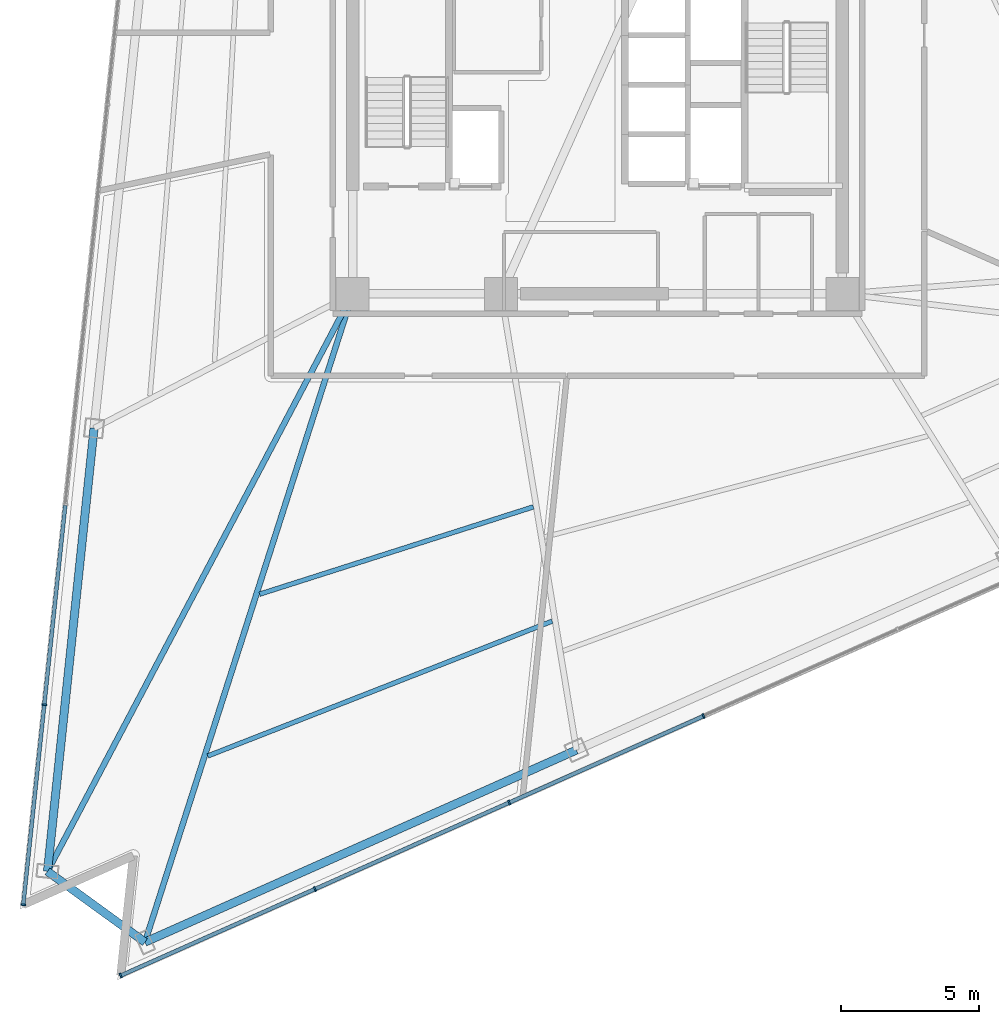
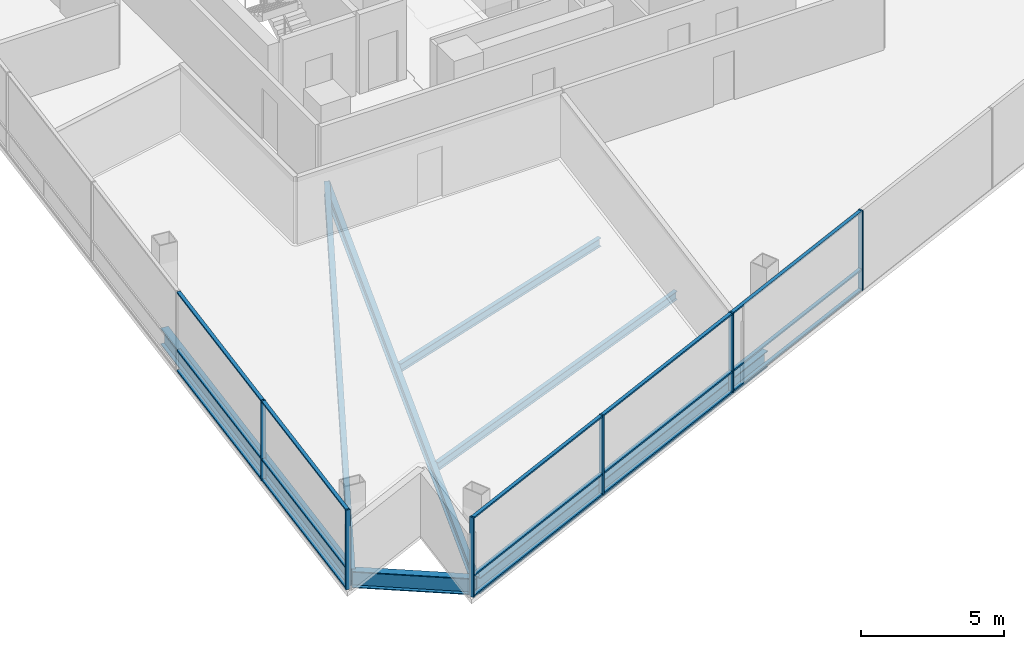
# One storey, part 2 of 16: 21 members, 7 beams, 2 elements without a shape of their own.
"""IFC4 building model written with IfcOpenShell, lengths in metres."""

from ifc_helpers import new_model, si_unit, direction, frame, origin, origin_2d, place, context, subcontext, project, spatial, rectangle, i_section, extrude, material, layer, layer_set, material_profile, profile_set, type_object, element, aggregate, save


model = new_model("IFC4")

# Units and contexts
model_context = context("Model", 3, precision=1e-05, world=origin(), true_north=direction((0.0, 1.0)))
body_context = subcontext(model_context, "Body", "Model", "MODEL_VIEW")
ifc_project = project(units=[si_unit("LENGTHUNIT", "METRE"), si_unit("AREAUNIT", "SQUARE_METRE"), si_unit("VOLUMEUNIT", "CUBIC_METRE"), si_unit("PLANEANGLEUNIT", "RADIAN"), si_unit("MASSUNIT", "GRAM", prefix="KILO")], contexts=[model_context])

# Site, building, storey
site_placement = place(None, origin())
site = spatial("IfcSite", under=ifc_project, at=site_placement, CompositionType="ELEMENT")
building_placement = place(site_placement, origin())
building = spatial("IfcBuilding", under=site, at=building_placement, Name="Tharavind Bronze Gate", CompositionType="ELEMENT")
storey_placement = place(building_placement, frame((0.0, 0.0, 130.449951171875)))
storey = spatial("IfcBuildingStorey", under=building, at=storey_placement, Name="L33", CompositionType="ELEMENT", Elevation=130.449951171875)

# Curtain wall, members
ifc_material_1 = material(Name="Anodised Bronze Aluminium", Category="aluminium")
ifc_layer = layer(ifc_material_1, 0.219970703125)
ifc_layer_set = layer_set([ifc_layer], Name="Anodised Bronze Aluminium")
curtain_wall_type = type_object("IfcCurtainWallType", Name="UNITISED CURTAIN WALL LOWER OFFICE", PredefinedType="USERDEFINED", material=ifc_layer_set)
curtain_wall_1_placement = place(storey_placement, origin())
curtain_wall_1 = element("IfcCurtainWall", 1, at=curtain_wall_1_placement, inside=storey, type_object=curtain_wall_type, Name="L33 unitised curtain wall lower office CW-L33-S1", ObjectType="UNITISED CURTAIN WALL", PredefinedType="USERDEFINED")
member_type_1 = type_object("IfcMemberType", Name="CURTAIN WALL BRONZE MULLION 65X180", PredefinedType="MULLION", material=ifc_material_1)
member_1_placement = place(storey_placement, frame((-20.1142578125, -22.5380859375, 0.0), z_axis=(0.0, 0.0, 1.0), x_axis=(-0.104526727499, -0.994522077803, 0.0)))
member_1 = element("IfcMember", 2, at=member_1_placement, type_object=member_type_1, Name="CW-L33-S1 mullion 7", PredefinedType="MULLION", context=body_context, shape_type="SweptSolid", body=[
    extrude(rectangle(XDim=0.06494140625, YDim=0.179931640625, at=origin_2d()), origin(), (0.0, 0.0, 1.0), 3.409912109375),
])
member_2_placement = place(storey_placement, frame((-20.878662109375, -29.811279296875, 0.0), z_axis=(0.0, 0.0, 1.0), x_axis=(-0.104526727499, -0.994522077803, 0.0)))
member_2 = element("IfcMember", 3, at=member_2_placement, type_object=member_type_1, Name="CW-L33-S1 mullion 8", PredefinedType="MULLION", context=body_context, shape_type="SweptSolid", body=[
    extrude(rectangle(XDim=0.06494140625, YDim=0.179931640625, at=origin_2d()), origin(), (0.0, 0.0, 1.0), 3.409912109375),
])

curtain_wall_2_placement = place(storey_placement, origin())
curtain_wall_2 = element("IfcCurtainWall", 4, at=curtain_wall_2_placement, inside=storey, type_object=curtain_wall_type, Name="L33 unitised curtain wall lower office CW-L33-S2", ObjectType="UNITISED CURTAIN WALL", PredefinedType="USERDEFINED")
member_3_placement = place(storey_placement, frame((-17.335205078125, -32.3857421875, 0.0), z_axis=(0.0, 0.0, 1.0), x_axis=(0.913545457643, 0.406736643076, 0.0)))
member_3 = element("IfcMember", 5, at=member_3_placement, type_object=member_type_1, Name="CW-L33-S2 mullion 1", PredefinedType="MULLION", context=body_context, shape_type="SweptSolid", body=[
    extrude(rectangle(XDim=0.06494140625, YDim=0.179931640625, at=origin_2d()), origin(), (0.0, 0.0, 1.0), 3.409912109375),
])
member_4_placement = place(storey_placement, frame((-10.273193359375, -29.241455078125, 0.0), z_axis=(0.0, 0.0, 1.0), x_axis=(0.913545457643, 0.406736643076, 0.0)))
member_4 = element("IfcMember", 6, at=member_4_placement, type_object=member_type_1, Name="CW-L33-S2 mullion 2", PredefinedType="MULLION", context=body_context, shape_type="SweptSolid", body=[
    extrude(rectangle(XDim=0.06494140625, YDim=0.179931640625, at=origin_2d()), origin(), (0.0, 0.0, 1.0), 3.409912109375),
])
member_5_placement = place(storey_placement, frame((-3.2109375, -26.097412109375, 0.0), z_axis=(0.0, 0.0, 1.0), x_axis=(0.913545457643, 0.406736643076, 0.0)))
member_5 = element("IfcMember", 7, at=member_5_placement, type_object=member_type_1, Name="CW-L33-S2 mullion 3", PredefinedType="MULLION", context=body_context, shape_type="SweptSolid", body=[
    extrude(rectangle(XDim=0.06494140625, YDim=0.179931640625, at=origin_2d()), origin(), (0.0, 0.0, 1.0), 3.409912109375),
])
member_6_placement = place(storey_placement, frame((3.851318359375, -22.952880859375, 0.0), z_axis=(0.0, 0.0, 1.0), x_axis=(0.913545457643, 0.406736643076, 0.0)))
member_6 = element("IfcMember", 8, at=member_6_placement, type_object=member_type_1, Name="CW-L33-S2 mullion 4", PredefinedType="MULLION", context=body_context, shape_type="SweptSolid", body=[
    extrude(rectangle(XDim=0.06494140625, YDim=0.179931640625, at=origin_2d()), origin(), (0.0, 0.0, 1.0), 3.409912109375),
])

# Member
member_type_2 = type_object("IfcMemberType", Name="CURTAIN WALL BRONZE TRANSOM 65X140", PredefinedType="USERDEFINED", material=ifc_material_1)
member_7_placement = place(storey_placement, frame((-19.73193359375, -18.9013671875, 0.0), z_axis=(0.0, 0.0, 1.0), x_axis=(-0.104526727499, -0.994522077803, 0.0)))
member_7 = element("IfcMember", 9, at=member_7_placement, type_object=member_type_2, Name="CW-L33-S1 transom TB6", ObjectType="TRANSOM", PredefinedType="USERDEFINED", context=body_context, shape_type="SweptSolid", body=[
    extrude(rectangle(XDim=7.26025390625, YDim=0.139892578125, at=origin_2d()), origin(), (0.0, 0.0, 1.0), 0.06494140625),
])

member_8_placement = place(storey_placement, frame((-19.73193359375, -18.9013671875, 0.86767578125), z_axis=(0.0, 0.0, 1.0), x_axis=(-0.104526727499, -0.994522077803, 0.0)))
member_8 = element("IfcMember", 10, at=member_8_placement, type_object=member_type_2, Name="CW-L33-S1 transom TS6", ObjectType="TRANSOM", PredefinedType="USERDEFINED", context=body_context, shape_type="SweptSolid", body=[
    extrude(rectangle(XDim=7.26025390625, YDim=0.139892578125, at=origin_2d()), origin(), (0.0, 0.0, 1.0), 0.06494140625),
])

member_9_placement = place(storey_placement, frame((-19.73193359375, -18.9013671875, 3.344970703125), z_axis=(0.0, 0.0, 1.0), x_axis=(-0.104526727499, -0.994522077803, 0.0)))
member_9 = element("IfcMember", 11, at=member_9_placement, type_object=member_type_2, Name="CW-L33-S1 transom TT6", ObjectType="TRANSOM", PredefinedType="USERDEFINED", context=body_context, shape_type="SweptSolid", body=[
    extrude(rectangle(XDim=7.26025390625, YDim=0.139892578125, at=origin_2d()), origin(), (0.0, 0.0, 1.0), 0.06494140625),
])

member_10_placement = place(storey_placement, frame((-20.49658203125, -26.1748046875, 0.0), z_axis=(0.0, 0.0, 1.0), x_axis=(-0.104526727499, -0.994522077803, 0.0)))
member_10 = element("IfcMember", 12, at=member_10_placement, type_object=member_type_2, Name="CW-L33-S1 transom TB7", ObjectType="TRANSOM", PredefinedType="USERDEFINED", context=body_context, shape_type="SweptSolid", body=[
    extrude(rectangle(XDim=7.26025390625, YDim=0.139892578125, at=origin_2d()), origin(), (0.0, 0.0, 1.0), 0.06494140625),
])

member_11_placement = place(storey_placement, frame((-20.49658203125, -26.1748046875, 0.86767578125), z_axis=(0.0, 0.0, 1.0), x_axis=(-0.104526727499, -0.994522077803, 0.0)))
member_11 = element("IfcMember", 13, at=member_11_placement, type_object=member_type_2, Name="CW-L33-S1 transom TS7", ObjectType="TRANSOM", PredefinedType="USERDEFINED", context=body_context, shape_type="SweptSolid", body=[
    extrude(rectangle(XDim=7.26025390625, YDim=0.139892578125, at=origin_2d()), origin(), (0.0, 0.0, 1.0), 0.06494140625),
])

member_12_placement = place(storey_placement, frame((-20.49658203125, -26.1748046875, 3.344970703125), z_axis=(0.0, 0.0, 1.0), x_axis=(-0.104526727499, -0.994522077803, 0.0)))
member_12 = element("IfcMember", 14, at=member_12_placement, type_object=member_type_2, Name="CW-L33-S1 transom TT7", ObjectType="TRANSOM", PredefinedType="USERDEFINED", context=body_context, shape_type="SweptSolid", body=[
    extrude(rectangle(XDim=7.26025390625, YDim=0.139892578125, at=origin_2d()), origin(), (0.0, 0.0, 1.0), 0.06494140625),
])

aggregate(curtain_wall_1, [member_1, member_2, member_7, member_8, member_9, member_10, member_11, member_12])

member_13_placement = place(storey_placement, frame((-13.80419921875, -30.813720703125, 0.0), z_axis=(0.0, 0.0, 1.0), x_axis=(0.913545457643, 0.406736643076, 0.0)))
member_13 = element("IfcMember", 15, at=member_13_placement, type_object=member_type_2, Name="CW-L33-S2 transom TB1", ObjectType="TRANSOM", PredefinedType="USERDEFINED", context=body_context, shape_type="SweptSolid", body=[
    extrude(rectangle(XDim=7.677490234375, YDim=0.139892578125, at=origin_2d()), origin(), (0.0, 0.0, 1.0), 0.06494140625),
])

member_14_placement = place(storey_placement, frame((-13.80419921875, -30.813720703125, 0.86767578125), z_axis=(0.0, 0.0, 1.0), x_axis=(0.913545457643, 0.406736643076, 0.0)))
member_14 = element("IfcMember", 16, at=member_14_placement, type_object=member_type_2, Name="CW-L33-S2 transom TS1", ObjectType="TRANSOM", PredefinedType="USERDEFINED", context=body_context, shape_type="SweptSolid", body=[
    extrude(rectangle(XDim=7.677490234375, YDim=0.139892578125, at=origin_2d()), origin(), (0.0, 0.0, 1.0), 0.06494140625),
])

member_15_placement = place(storey_placement, frame((-13.80419921875, -30.813720703125, 3.344970703125), z_axis=(0.0, 0.0, 1.0), x_axis=(0.913545457643, 0.406736643076, 0.0)))
member_15 = element("IfcMember", 17, at=member_15_placement, type_object=member_type_2, Name="CW-L33-S2 transom TT1", ObjectType="TRANSOM", PredefinedType="USERDEFINED", context=body_context, shape_type="SweptSolid", body=[
    extrude(rectangle(XDim=7.677490234375, YDim=0.139892578125, at=origin_2d()), origin(), (0.0, 0.0, 1.0), 0.06494140625),
])

member_16_placement = place(storey_placement, frame((-6.741943359375, -27.66943359375, 0.0), z_axis=(0.0, 0.0, 1.0), x_axis=(0.913545457643, 0.406736643076, 0.0)))
member_16 = element("IfcMember", 18, at=member_16_placement, type_object=member_type_2, Name="CW-L33-S2 transom TB2", ObjectType="TRANSOM", PredefinedType="USERDEFINED", context=body_context, shape_type="SweptSolid", body=[
    extrude(rectangle(XDim=7.677490234375, YDim=0.139892578125, at=origin_2d()), origin(), (0.0, 0.0, 1.0), 0.06494140625),
])

member_17_placement = place(storey_placement, frame((-6.741943359375, -27.66943359375, 0.86767578125), z_axis=(0.0, 0.0, 1.0), x_axis=(0.913545457643, 0.406736643076, 0.0)))
member_17 = element("IfcMember", 19, at=member_17_placement, type_object=member_type_2, Name="CW-L33-S2 transom TS2", ObjectType="TRANSOM", PredefinedType="USERDEFINED", context=body_context, shape_type="SweptSolid", body=[
    extrude(rectangle(XDim=7.677490234375, YDim=0.139892578125, at=origin_2d()), origin(), (0.0, 0.0, 1.0), 0.06494140625),
])

member_18_placement = place(storey_placement, frame((-6.741943359375, -27.66943359375, 3.344970703125), z_axis=(0.0, 0.0, 1.0), x_axis=(0.913545457643, 0.406736643076, 0.0)))
member_18 = element("IfcMember", 20, at=member_18_placement, type_object=member_type_2, Name="CW-L33-S2 transom TT2", ObjectType="TRANSOM", PredefinedType="USERDEFINED", context=body_context, shape_type="SweptSolid", body=[
    extrude(rectangle(XDim=7.677490234375, YDim=0.139892578125, at=origin_2d()), origin(), (0.0, 0.0, 1.0), 0.06494140625),
])

member_19_placement = place(storey_placement, frame((0.3203125, -24.525146484375, 0.0), z_axis=(0.0, 0.0, 1.0), x_axis=(0.913545457643, 0.406736643076, 0.0)))
member_19 = element("IfcMember", 21, at=member_19_placement, type_object=member_type_2, Name="CW-L33-S2 transom TB3", ObjectType="TRANSOM", PredefinedType="USERDEFINED", context=body_context, shape_type="SweptSolid", body=[
    extrude(rectangle(XDim=7.677490234375, YDim=0.139892578125, at=origin_2d()), origin(), (0.0, 0.0, 1.0), 0.06494140625),
])

member_20_placement = place(storey_placement, frame((0.3203125, -24.525146484375, 0.86767578125), z_axis=(0.0, 0.0, 1.0), x_axis=(0.913545457643, 0.406736643076, 0.0)))
member_20 = element("IfcMember", 22, at=member_20_placement, type_object=member_type_2, Name="CW-L33-S2 transom TS3", ObjectType="TRANSOM", PredefinedType="USERDEFINED", context=body_context, shape_type="SweptSolid", body=[
    extrude(rectangle(XDim=7.677490234375, YDim=0.139892578125, at=origin_2d()), origin(), (0.0, 0.0, 1.0), 0.06494140625),
])

member_21_placement = place(storey_placement, frame((0.3203125, -24.525146484375, 3.344970703125), z_axis=(0.0, 0.0, 1.0), x_axis=(0.913545457643, 0.406736643076, 0.0)))
member_21 = element("IfcMember", 23, at=member_21_placement, type_object=member_type_2, Name="CW-L33-S2 transom TT3", ObjectType="TRANSOM", PredefinedType="USERDEFINED", context=body_context, shape_type="SweptSolid", body=[
    extrude(rectangle(XDim=7.677490234375, YDim=0.139892578125, at=origin_2d()), origin(), (0.0, 0.0, 1.0), 0.06494140625),
])

aggregate(curtain_wall_2, [member_3, member_4, member_5, member_6, member_13, member_14, member_15, member_16, member_17, member_18, member_19, member_20, member_21])

# Beams
ifc_material_2 = material(Name="Steel S355", Category="steel")
ifc_material_profile_1 = material_profile(ifc_material_2, i_section(OverallWidth=0.2099609375, OverallDepth=0.550048828125, WebThickness=0.010986328125, FlangeThickness=0.01708984375, at=origin_2d()), Name="IPE550")
ifc_profile_set_1 = profile_set([ifc_material_profile_1], Name="Steel S355")
beam_type_1 = type_object("IfcBeamType", Name="PRIMARY GIRDER IPE550", PredefinedType="USERDEFINED", material=ifc_profile_set_1)
beam_1_placement = place(storey_placement, frame((-19.9970703125, -28.597900390625, -0.46484375), z_axis=(0.467252343424, 0.884124000107, 0.0), x_axis=(-0.884124000107, 0.467252343424, 0.0)))
element("IfcBeam", 24, at=beam_1_placement, inside=storey, type_object=beam_type_1, Name="L33 primary girder ipe550 BM-L33-RAD04", ObjectType="GIRDER", PredefinedType="USERDEFINED", context=body_context, shape_type="SweptSolid", body=[
    extrude(i_section(OverallWidth=0.2099609375, OverallDepth=0.550048828125, WebThickness=0.010986328125, FlangeThickness=0.01708984375, at=origin_2d()), origin(), (0.0, 0.0, 1.0), 23.749755859375),
])
beam_2_placement = place(storey_placement, frame((-16.45361328125, -31.17236328125, -0.46484375), z_axis=(0.305163640021, 0.952299927969, 0.0), x_axis=(-0.952299927969, 0.305163640021, 0.0)))
element("IfcBeam", 25, at=beam_2_placement, inside=storey, type_object=beam_type_1, Name="L33 primary girder ipe550 BM-L33-RAD05", ObjectType="GIRDER", PredefinedType="USERDEFINED", context=body_context, shape_type="SweptSolid", body=[
    extrude(i_section(OverallWidth=0.2099609375, OverallDepth=0.550048828125, WebThickness=0.010986328125, FlangeThickness=0.01708984375, at=origin_2d()), origin(), (0.0, 0.0, 1.0), 24.7529296875),
])
ifc_material_profile_2 = material_profile(ifc_material_2, i_section(OverallWidth=0.300048828125, OverallDepth=0.699951171875, WebThickness=0.01708984375, FlangeThickness=0.031982421875, at=origin_2d()), Name="HE700B")
ifc_profile_set_2 = profile_set([ifc_material_profile_2], Name="Steel S355")
beam_type_2 = type_object("IfcBeamType", Name="RING GIRDER HE700B", PredefinedType="USERDEFINED", material=ifc_profile_set_2)
beam_3_placement = place(storey_placement, frame((-18.303955078125, -12.488037109375, -0.5400390625), z_axis=(-0.104522380175, -0.994522534708, 0.0), x_axis=(0.994522534708, -0.104522380175, 0.0)))
element("IfcBeam", 26, at=beam_3_placement, inside=storey, type_object=beam_type_2, Name="L33 ring girder he700b BM-L33-PRG03", ObjectType="GIRDER", PredefinedType="USERDEFINED", context=body_context, shape_type="SweptSolid", body=[
    extrude(i_section(OverallWidth=0.300048828125, OverallDepth=0.699951171875, WebThickness=0.01708984375, FlangeThickness=0.031982421875, at=origin_2d()), origin(), (0.0, 0.0, 1.0), 16.198486328125),
])
beam_4_placement = place(storey_placement, frame((-19.9970703125, -28.597900390625, -0.5400390625), z_axis=(0.809018008275, -0.587783856777, 0.0), x_axis=(0.587783856777, 0.809018008275, 0.0)))
element("IfcBeam", 27, at=beam_4_placement, inside=storey, type_object=beam_type_2, Name="L33 ring girder he700b BM-L33-PRG04", ObjectType="GIRDER", PredefinedType="USERDEFINED", context=body_context, shape_type="SweptSolid", body=[
    extrude(i_section(OverallWidth=0.300048828125, OverallDepth=0.699951171875, WebThickness=0.01708984375, FlangeThickness=0.031982421875, at=origin_2d()), origin(), (0.0, 0.0, 1.0), 4.3798828125),
])
beam_5_placement = place(storey_placement, frame((-16.45361328125, -31.17236328125, -0.5400390625), z_axis=(0.913546351362, 0.406734635744, 0.0), x_axis=(-0.406734635744, 0.913546351362, 0.0)))
element("IfcBeam", 28, at=beam_5_placement, inside=storey, type_object=beam_type_2, Name="L33 ring girder he700b BM-L33-PRG05", ObjectType="GIRDER", PredefinedType="USERDEFINED", context=body_context, shape_type="SweptSolid", body=[
    extrude(i_section(OverallWidth=0.300048828125, OverallDepth=0.699951171875, WebThickness=0.01708984375, FlangeThickness=0.031982421875, at=origin_2d()), origin(), (0.0, 0.0, 1.0), 17.171875),
])
ifc_material_profile_3 = material_profile(ifc_material_2, i_section(OverallWidth=0.169921875, OverallDepth=0.360107421875, WebThickness=0.008056640625, FlangeThickness=0.0126953125, at=origin_2d()), Name="IPE360")
ifc_profile_set_3 = profile_set([ifc_material_profile_3], Name="Steel S355")
beam_type_3 = type_object("IfcBeamType", Name="SECONDARY FLOOR JOIST IPE360", PredefinedType="JOIST", material=ifc_profile_set_3)
beam_6_placement = place(storey_placement, frame((-12.285888671875, -18.520751953125, -0.369873046875), z_axis=(0.952718678144, 0.303853781144, 0.0), x_axis=(-0.303853781144, 0.952718678144, 0.0)))
element("IfcBeam", 29, at=beam_6_placement, inside=storey, type_object=beam_type_3, Name="L33 secondary floor joist ipe360 BM-L33-JSTA05", PredefinedType="JOIST", context=body_context, shape_type="SweptSolid", body=[
    extrude(i_section(OverallWidth=0.169921875, OverallDepth=0.360107421875, WebThickness=0.008056640625, FlangeThickness=0.0126953125, at=origin_2d()), origin(), (0.0, 0.0, 1.0), 10.446044921875),
])
beam_7_placement = place(storey_placement, frame((-14.1708984375, -24.4033203125, -0.369873046875), z_axis=(0.931178744784, 0.364562951028, 0.0), x_axis=(-0.364562951028, 0.931178744784, 0.0)))
element("IfcBeam", 30, at=beam_7_placement, inside=storey, type_object=beam_type_3, Name="L33 secondary floor joist ipe360 BM-L33-JSTB05", PredefinedType="JOIST", context=body_context, shape_type="SweptSolid", body=[
    extrude(i_section(OverallWidth=0.169921875, OverallDepth=0.360107421875, WebThickness=0.008056640625, FlangeThickness=0.0126953125, at=origin_2d()), origin(), (0.0, 0.0, 1.0), 13.447265625),
])

save(model, "model.ifc")
